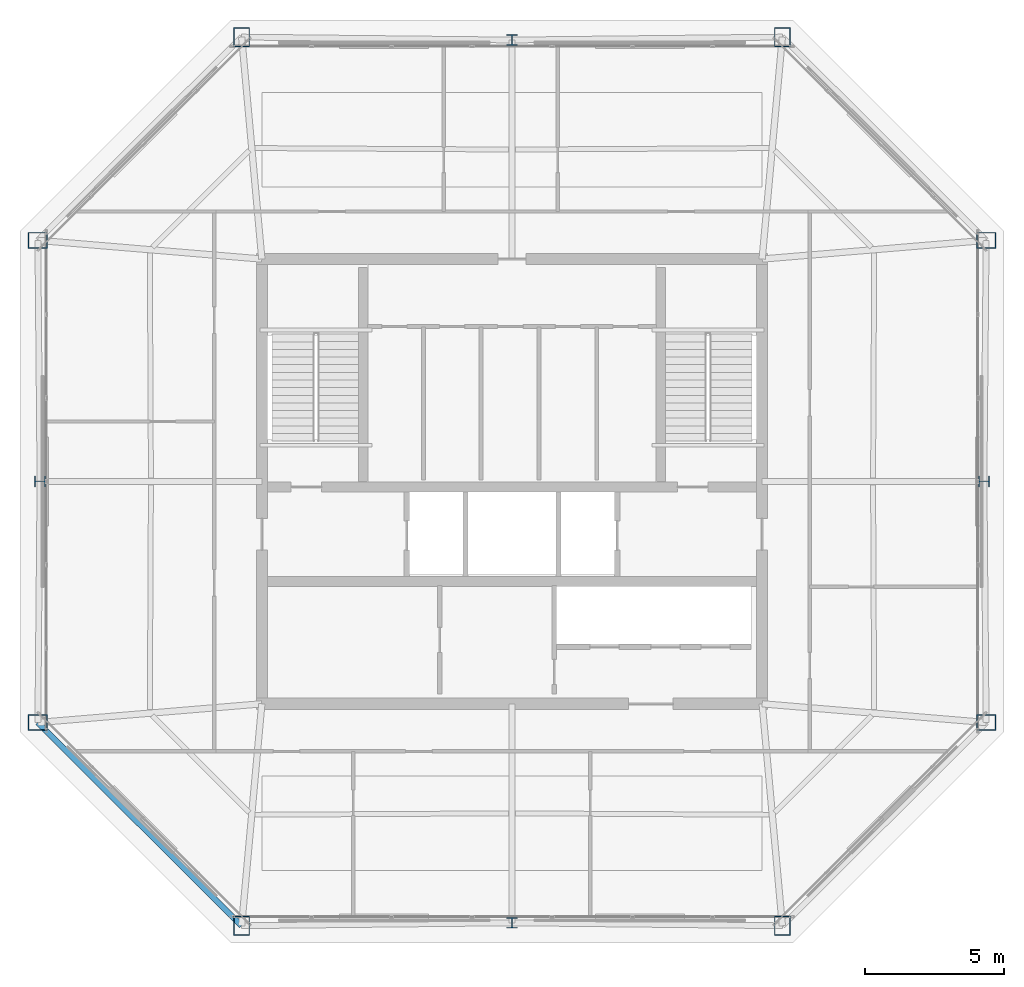
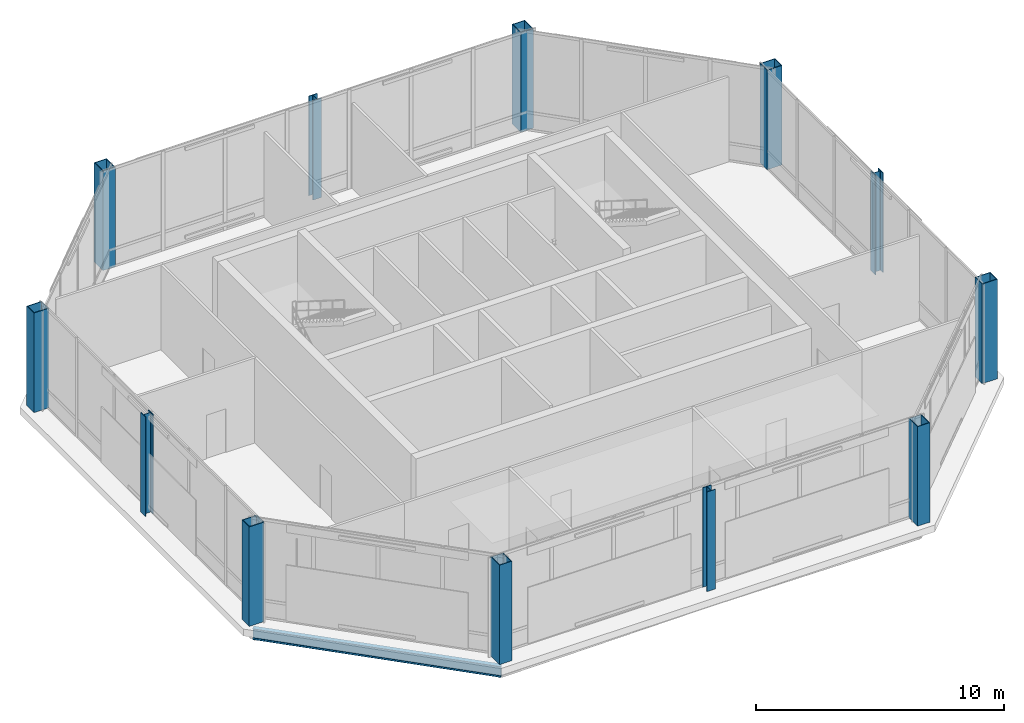
# One storey, part 1 of 21: 12 columns, 1 beam.
"""IFC4 building model written with IfcOpenShell, lengths in metres."""

from ifc_helpers import new_model, si_unit, direction, frame, origin, origin_2d, place, context, subcontext, project, spatial, hollow_rectangle, i_section, extrude, material, material_profile, profile_set, type_object, element, save


model = new_model("IFC4")

# Units and contexts
model_context = context("Model", 3, precision=1e-05, world=origin(), true_north=direction((0.0, 1.0)))
body_context = subcontext(model_context, "Body", "Model", "MODEL_VIEW")
ifc_project = project(units=[si_unit("LENGTHUNIT", "METRE"), si_unit("AREAUNIT", "SQUARE_METRE"), si_unit("VOLUMEUNIT", "CUBIC_METRE"), si_unit("PLANEANGLEUNIT", "RADIAN"), si_unit("MASSUNIT", "GRAM", prefix="KILO")], contexts=[model_context])

# Site, building, storey
site_placement = place(None, origin())
site = spatial("IfcSite", under=ifc_project, at=site_placement, CompositionType="ELEMENT")
building_placement = place(site_placement, origin())
building = spatial("IfcBuilding", under=site, at=building_placement, Name="Caelvoria Tower", CompositionType="ELEMENT")
storey_placement = place(building_placement, frame((0.0, 0.0, 279.0)))
storey = spatial("IfcBuildingStorey", under=building, at=storey_placement, Name="L74", CompositionType="ELEMENT", Elevation=279.0)

# Columns
ifc_material_1 = material(Name="Structural Steel ASTM A572 Gr.50", Category="steel")
ifc_material_profile_1 = material_profile(ifc_material_1, hollow_rectangle(XDim=0.580078125, YDim=0.699951171875, WallThickness=0.031982421875, at=origin_2d()), Name="Structural Steel ASTM A572 Gr.50")
ifc_profile_set_1 = profile_set([ifc_material_profile_1], Name="BOX700X580X32 - Structural Steel ASTM A572 Gr.50")
column_type_1 = type_object("IfcColumnType", Name="Mega Box Column 700x580x32", PredefinedType="COLUMN", material=ifc_profile_set_1)
for number, where, z_axis, x_axis, name in (
    (1, (36.274169921875, 16.01513671875, 0.0), (0.0, 0.0, 1.0), (1.0, 0.0, 0.0), "Perimeter Megaframe Column L74-P00"),
    (2, (55.725830078125, 16.01513671875, 0.0), (0.0, 0.0, 1.0), (1.0, 0.0, 0.0), "Perimeter Megaframe Column L74-P02"),
    (3, (63.05810546875, 23.326416015625, 0.0), (0.0, 0.0, 1.0), (0.0, 1.0, 0.0), "Perimeter Megaframe Column L74-P03"),
    (4, (63.05810546875, 40.673583984375, 0.0), (0.0, 0.0, 1.0), (0.0, 1.0, 0.0), "Perimeter Megaframe Column L74-P05"),
    (5, (55.725830078125, 47.98486328125, 0.0), (0.0, 0.0, 1.0), (1.0, 0.0, 0.0), "Perimeter Megaframe Column L74-P06"),
    (6, (36.274169921875, 47.98486328125, 0.0), (0.0, 0.0, 1.0), (1.0, 0.0, 0.0), "Perimeter Megaframe Column L74-P08"),
    (7, (28.94189453125, 40.673583984375, 0.0), (0.0, 0.0, 1.0), (0.0, 1.0, 0.0), "Perimeter Megaframe Column L74-P09"),
    (8, (28.94189453125, 23.326416015625, 0.0), (0.0, 0.0, 1.0), (0.0, 1.0, 0.0), "Perimeter Megaframe Column L74-P11"),
):
    element("IfcColumn", number, at=place(storey_placement, frame(where, z_axis=z_axis, x_axis=x_axis)), inside=storey, type_object=column_type_1, Name=name, PredefinedType="COLUMN", context=body_context, shape_type="SweptSolid", body=[
        extrude(hollow_rectangle(XDim=0.580078125, YDim=0.699951171875, WallThickness=0.031982421875, at=origin_2d()), origin(), (0.0, 0.0, 1.0), 4.89794921875),
    ])
ifc_material_2 = material(Name="Structural Steel ASTM A992 Gr.50", Category="steel")
ifc_material_profile_2 = material_profile(ifc_material_2, i_section(OverallWidth=0.39501953125, OverallDepth=0.3798828125, WebThickness=0.018798828125, FlangeThickness=0.0302734375, FilletRadius=0.02490234375, at=origin_2d()), Name="Structural Steel ASTM A992 Gr.50")
ifc_profile_set_2 = profile_set([ifc_material_profile_2], Name="W360X237 - Structural Steel ASTM A992 Gr.50")
column_type_2 = type_object("IfcColumnType", Name="Summit Frame Column W360X237", PredefinedType="COLUMN", material=ifc_profile_set_2)
for number, where, z_axis, x_axis, name in (
    (9, (46.0, 16.1201171875, 0.0), (0.0, 0.0, 1.0), (1.0, 0.0, 0.0), "Perimeter Megaframe Column L74-P01"),
    (10, (62.97998046875, 32.0, 0.0), (0.0, 0.0, 1.0), (0.0, 1.0, 0.0), "Perimeter Megaframe Column L74-P04"),
    (11, (46.0, 47.8798828125, 0.0), (0.0, 0.0, 1.0), (1.0, 0.0, 0.0), "Perimeter Megaframe Column L74-P07"),
    (12, (29.02001953125, 32.0, 0.0), (0.0, 0.0, 1.0), (0.0, 1.0, 0.0), "Perimeter Megaframe Column L74-P10"),
):
    element("IfcColumn", number, at=place(storey_placement, frame(where, z_axis=z_axis, x_axis=x_axis)), inside=storey, type_object=column_type_2, Name=name, PredefinedType="COLUMN", context=body_context, shape_type="SweptSolid", body=[
        extrude(i_section(OverallWidth=0.39501953125, OverallDepth=0.3798828125, WebThickness=0.018798828125, FlangeThickness=0.0302734375, FilletRadius=0.02490234375, at=origin_2d()), origin(), (0.0, 0.0, 1.0), 4.89794921875),
    ])

# Beam
ifc_material_profile_3 = material_profile(ifc_material_2, i_section(OverallWidth=0.208984375, OverallDepth=0.532958984375, WebThickness=0.01025390625, FlangeThickness=0.015625, FilletRadius=0.01611328125, at=origin_2d()), Name="Structural Steel ASTM A992 Gr.50")
ifc_profile_set_3 = profile_set([ifc_material_profile_3], Name="W530X92 - Structural Steel ASTM A992 Gr.50")
beam_type = type_object("IfcBeamType", Name="Upper Zone Spandrel W530X92", PredefinedType="BEAM", material=ifc_profile_set_3)
beam_placement = place(storey_placement, frame((28.94189453125, 23.326416015625, -0.6064453125), z_axis=(0.708119910977, -0.706092197717, 0.0), x_axis=(0.706092197717, 0.708119910977, 0.0)))
element("IfcBeam", 13, at=beam_placement, inside=storey, type_object=beam_type, Name="Perimeter Spandrel Girder L74-11", PredefinedType="BEAM", context=body_context, shape_type="SweptSolid", body=[
    extrude(i_section(OverallWidth=0.208984375, OverallDepth=0.532958984375, WebThickness=0.01025390625, FlangeThickness=0.015625, FilletRadius=0.01611328125, at=origin_2d()), origin(), (0.0, 0.0, 1.0), 10.3544921875),
])

save(model, "model.ifc")
